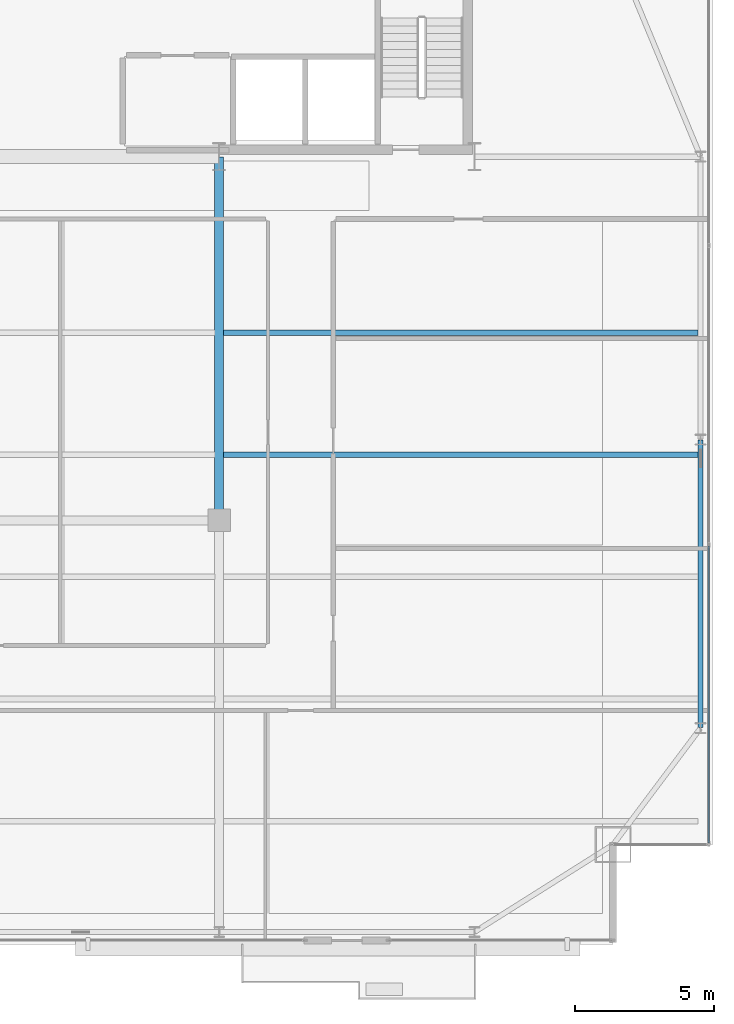
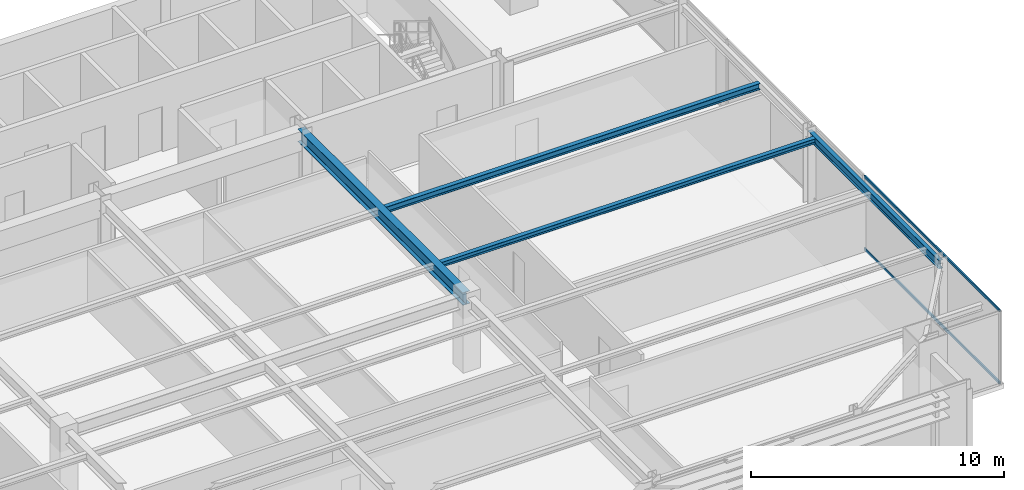
# One storey, part 17 of 31: 4 beams, 2 members, 1 element without a shape of its own.
"""IFC4 building model written with IfcOpenShell, lengths in metres."""

from ifc_helpers import new_model, si_unit, direction, frame, origin, origin_2d, place, context, subcontext, project, spatial, hollow_rectangle, i_section, extrude, source, transform, mapped, material, layer, layer_set, material_profile, profile_set, type_object, type_shapes, element, aggregate, save


model = new_model("IFC4")

# Units and contexts
model_context = context("Model", 3, precision=1e-05, world=origin(), true_north=direction((0.0, 1.0)))
body_context = subcontext(model_context, "Body", "Model", "MODEL_VIEW")
ifc_project = project(units=[si_unit("LENGTHUNIT", "METRE"), si_unit("AREAUNIT", "SQUARE_METRE"), si_unit("VOLUMEUNIT", "CUBIC_METRE"), si_unit("PLANEANGLEUNIT", "RADIAN"), si_unit("MASSUNIT", "GRAM", prefix="KILO")], contexts=[model_context])

# Site, building, storey
site_placement = place(None, origin())
site = spatial("IfcSite", under=ifc_project, at=site_placement, CompositionType="ELEMENT")
building_placement = place(site_placement, origin())
building = spatial("IfcBuilding", under=site, at=building_placement, Name="Varnel Quay Broadcast Tower", CompositionType="ELEMENT")
storey_placement = place(building_placement, frame((0.0, 0.0, 183.800048828125)))
storey = spatial("IfcBuildingStorey", under=building, at=storey_placement, Name="L45", CompositionType="ELEMENT", Elevation=183.800048828125)

# Beams
ifc_material_1 = material(Name="Structural Steel CSA G40.21 350W", Category="steel")
ifc_material_profile_1 = material_profile(ifc_material_1, i_section(OverallWidth=0.180908203125, OverallDepth=0.4169921875, WebThickness=0.010986328125, FlangeThickness=0.018310546875, FilletRadius=0.011962890625, at=origin_2d()), Name="W410X85")
ifc_profile_set_1 = profile_set([ifc_material_profile_1], Name="Structural Steel CSA G40.21 350W")
beam_type_1 = type_object("IfcBeamType", Name="Beam_W410X85", PredefinedType="SPANDREL", material=ifc_profile_set_1)
shared_shape_1 = source(origin(), body_context, "Body", "SweptSolid", [
    extrude(i_section(OverallWidth=0.180908203125, OverallDepth=0.4169921875, WebThickness=0.010986328125, FlangeThickness=0.018310546875, FilletRadius=0.011962890625, at=origin_2d()), origin(), (0.0, 0.0, 1.0), 10.35986328125),
])
type_shapes(beam_type_1, [shared_shape_1])
beam_1_placement = place(storey_placement, frame((60.550048828125, 15.02001953125, 3.341552734375), z_axis=(0.0, 1.0, 0.0), x_axis=(-1.0, 0.0, 0.0)))
element("IfcBeam", 1, at=beam_1_placement, inside=storey, type_object=beam_type_1, Name="L45 East Spandrel TC-E1-TC-E2", PredefinedType="SPANDREL", context=body_context, shape_type="MappedRepresentation", body=[
    mapped(shared_shape_1, transform((0.0, 0.0, 0.0), x_axis=(1.0, 0.0, 0.0), y_axis=(0.0, 1.0, 0.0), z_axis=(0.0, 0.0, 1.0), scale=1.0)),
])
ifc_material_profile_2 = material_profile(ifc_material_1, i_section(OverallWidth=0.324951171875, OverallDepth=0.615966796875, WebThickness=0.013916015625, FlangeThickness=0.021484375, FilletRadius=0.01611328125, at=origin_2d()), Name="W610X174")
ifc_profile_set_2 = profile_set([ifc_material_profile_2], Name="Structural Steel CSA G40.21 350W")
beam_type_2 = type_object("IfcBeamType", Name="Girder_W610X174", PredefinedType="BEAM", material=ifc_profile_set_2)
shared_shape_2 = source(origin(), body_context, "Body", "SweptSolid", [
    extrude(i_section(OverallWidth=0.324951171875, OverallDepth=0.615966796875, WebThickness=0.013916015625, FlangeThickness=0.021484375, FilletRadius=0.01611328125, at=origin_2d()), origin(), (0.0, 0.0, 1.0), 13.070068359375),
])
type_shapes(beam_type_2, [shared_shape_2])
beam_2_placement = place(storey_placement, frame((43.199951171875, 22.510009765625, 3.241943359375), z_axis=(0.0, 1.0, 0.0), x_axis=(-1.0, 0.0, 0.0)))
element("IfcBeam", 2, at=beam_2_placement, inside=storey, type_object=beam_type_2, Name="L45 Primary Girder IC-02-CC-S4", PredefinedType="BEAM", context=body_context, shape_type="MappedRepresentation", body=[
    mapped(shared_shape_2, transform((0.0, 0.0, 0.0), x_axis=(1.0, 0.0, 0.0), y_axis=(0.0, 1.0, 0.0), z_axis=(0.0, 0.0, 1.0), scale=1.0)),
])
ifc_material_profile_3 = material_profile(ifc_material_1, i_section(OverallWidth=0.202880859375, OverallDepth=0.302978515625, WebThickness=0.007568359375, FlangeThickness=0.01318359375, FilletRadius=0.011962890625, at=origin_2d()), Name="W310X60")
ifc_profile_set_3 = profile_set([ifc_material_profile_3], Name="Structural Steel CSA G40.21 350W")
beam_type_3 = type_object("IfcBeamType", Name="Beam_W310X60", PredefinedType="JOIST", material=ifc_profile_set_3)
shared_shape_3 = source(origin(), body_context, "Body", "SweptSolid", [
    extrude(i_section(OverallWidth=0.202880859375, OverallDepth=0.302978515625, WebThickness=0.007568359375, FlangeThickness=0.01318359375, FilletRadius=0.011962890625, at=origin_2d()), origin(), (0.0, 0.0, 1.0), 17.107177734375),
])
type_shapes(beam_type_3, [shared_shape_3])
beam_3_placement = place(storey_placement, frame((43.357421875, 29.25, 3.3984375), z_axis=(1.0, 0.0, 0.0), x_axis=(0.0, 1.0, 0.0)))
element("IfcBeam", 3, at=beam_3_placement, inside=storey, type_object=beam_type_3, Name="L45 East Floor Joist 5", PredefinedType="JOIST", context=body_context, shape_type="MappedRepresentation", body=[
    mapped(shared_shape_3, transform((0.0, 0.0, 0.0), x_axis=(1.0, 0.0, 0.0), y_axis=(0.0, 1.0, 0.0), z_axis=(0.0, 0.0, 1.0), scale=1.0)),
])
ifc_material_profile_4 = material_profile(ifc_material_1, i_section(OverallWidth=0.201904296875, OverallDepth=0.2470703125, WebThickness=0.00732421875, FlangeThickness=0.010986328125, FilletRadius=0.010986328125, at=origin_2d()), Name="W250X49")
ifc_profile_set_4 = profile_set([ifc_material_profile_4], Name="Structural Steel CSA G40.21 350W")
beam_type_4 = type_object("IfcBeamType", Name="Beam_W250X49", PredefinedType="JOIST", material=ifc_profile_set_4)
shared_shape_4 = source(origin(), body_context, "Body", "SweptSolid", [
    extrude(i_section(OverallWidth=0.201904296875, OverallDepth=0.2470703125, WebThickness=0.00732421875, FlangeThickness=0.010986328125, FilletRadius=0.010986328125, at=origin_2d()), origin(), (0.0, 0.0, 1.0), 17.107177734375),
])
type_shapes(beam_type_4, [shared_shape_4])
beam_4_placement = place(storey_placement, frame((43.357421875, 24.85009765625, 3.426513671875), z_axis=(1.0, 0.0, 0.0), x_axis=(0.0, 1.0, 0.0)))
element("IfcBeam", 4, at=beam_4_placement, inside=storey, type_object=beam_type_4, Name="L45 East Floor Joist 4", PredefinedType="JOIST", context=body_context, shape_type="MappedRepresentation", body=[
    mapped(shared_shape_4, transform((0.0, 0.0, 0.0), x_axis=(1.0, 0.0, 0.0), y_axis=(0.0, 1.0, 0.0), z_axis=(0.0, 0.0, 1.0), scale=1.0)),
])

# Curtain wall, members
ifc_material_2 = material(Name="Anodised Bronze Aluminium 6063-T6", Category="aluminium")
ifc_layer = layer(ifc_material_2, 0.18994140625, Name="Anodised Bronze Aluminium 6063-T6")
ifc_layer_set = layer_set([ifc_layer], Name="Anodised Bronze Aluminium 6063-T6")
curtain_wall_type = type_object("IfcCurtainWallType", Name="CW_UpperTower", PredefinedType="NOTDEFINED", material=ifc_layer_set)
curtain_wall_placement = place(storey_placement, origin())
curtain_wall = element("IfcCurtainWall", 5, at=curtain_wall_placement, inside=storey, type_object=curtain_wall_type, Name="L45 East Unitised Curtain Wall", PredefinedType="NOTDEFINED")
ifc_material_profile_5 = material_profile(ifc_material_2, hollow_rectangle(XDim=0.06005859375, YDim=0.125, WallThickness=0.0029296875, at=origin_2d()), Name="ALU60X125X3")
ifc_profile_set_5 = profile_set([ifc_material_profile_5], Name="Anodised Bronze Aluminium 6063-T6")
member_type = type_object("IfcMemberType", Name="Tran_CWS-03", PredefinedType="USERDEFINED", material=ifc_profile_set_5)
shared_shape_5 = source(origin(), body_context, "Body", "SweptSolid", [
    extrude(hollow_rectangle(XDim=0.06005859375, YDim=0.125, WallThickness=0.0029296875, at=origin_2d()), origin(), (0.0, 0.0, 1.0), 10.702392578125),
])
type_shapes(member_type, [shared_shape_5])
member_1_placement = place(storey_placement, frame((60.85009765625, 10.864990234375, 0.030029296875), z_axis=(0.0, 1.0, 0.0), x_axis=(-1.0, 0.0, 0.0)))
member_1 = element("IfcMember", 6, at=member_1_placement, type_object=member_type, Name="CWS-03 transom 1.1", ObjectType="TRANSOM", PredefinedType="USERDEFINED", context=body_context, shape_type="MappedRepresentation", body=[
    mapped(shared_shape_5, transform((0.0, 0.0, 0.0), x_axis=(1.0, 0.0, 0.0), y_axis=(0.0, 1.0, 0.0), z_axis=(0.0, 0.0, 1.0), scale=1.0)),
])
member_2_placement = place(storey_placement, frame((60.85009765625, 10.864990234375, 3.52001953125), z_axis=(0.0, 1.0, 0.0), x_axis=(-1.0, 0.0, 0.0)))
member_2 = element("IfcMember", 7, at=member_2_placement, type_object=member_type, Name="CWS-03 transom 1.2", ObjectType="TRANSOM", PredefinedType="USERDEFINED", context=body_context, shape_type="MappedRepresentation", body=[
    mapped(shared_shape_5, transform((0.0, 0.0, 0.0), x_axis=(1.0, 0.0, 0.0), y_axis=(0.0, 1.0, 0.0), z_axis=(0.0, 0.0, 1.0), scale=1.0)),
])
aggregate(curtain_wall, [member_1, member_2])

save(model, "model.ifc")
